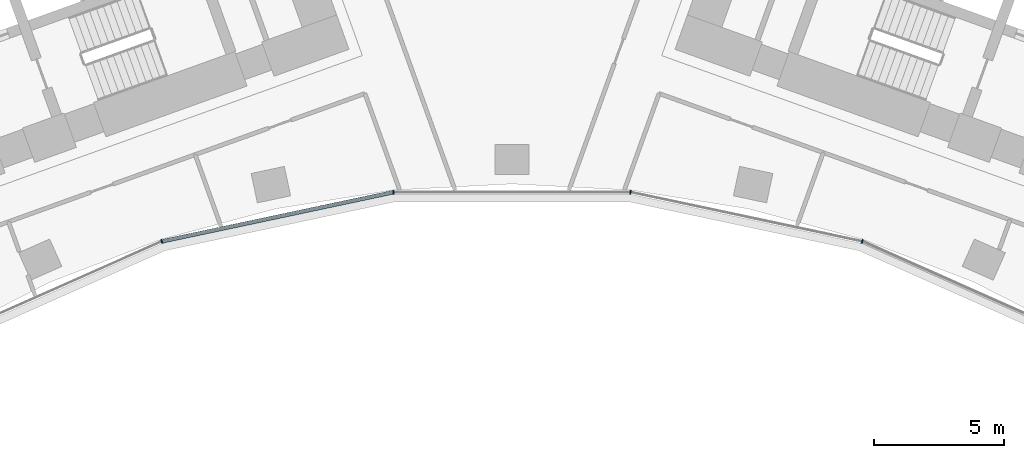
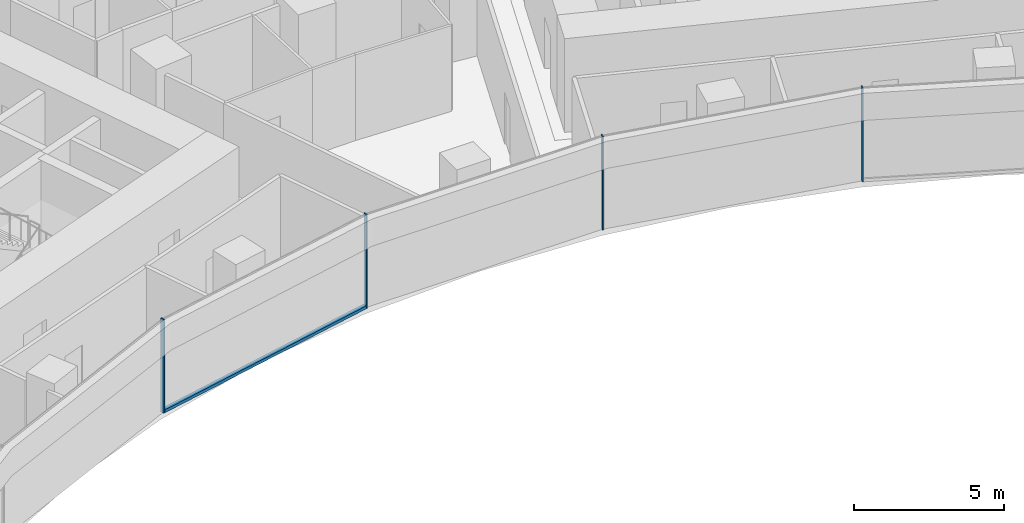
# One storey, part 4 of 21: 5 members, 1 element without a shape of its own.
"""IFC4 building model written with IfcOpenShell, lengths in metres."""

from ifc_helpers import new_model, si_unit, direction, frame, origin, origin_2d, place, context, subcontext, project, spatial, rectangle, extrude, material, layer, layer_set, material_profile, profile_set, type_object, element, aggregate, save


model = new_model("IFC4")

# Units and contexts
model_context = context("Model", 3, precision=1e-05, world=origin(), true_north=direction((0.0, 1.0)))
body_context = subcontext(model_context, "Body", "Model", "MODEL_VIEW")
ifc_project = project(units=[si_unit("LENGTHUNIT", "METRE"), si_unit("AREAUNIT", "SQUARE_METRE"), si_unit("VOLUMEUNIT", "CUBIC_METRE"), si_unit("PLANEANGLEUNIT", "RADIAN"), si_unit("MASSUNIT", "GRAM", prefix="KILO")], contexts=[model_context])

# Site, building, storey
site_placement = place(None, origin())
site = spatial("IfcSite", under=ifc_project, at=site_placement, CompositionType="ELEMENT")
building_placement = place(site_placement, origin())
building = spatial("IfcBuilding", under=site, at=building_placement, Name="Stone Belt Terrace Tower", CompositionType="ELEMENT")
storey_placement = place(building_placement, frame((0.0, 0.0, 113.60009765625)))
storey = spatial("IfcBuildingStorey", under=building, at=storey_placement, Name="L27", CompositionType="ELEMENT", Elevation=113.60009765625)

# Curtain wall, members
ifc_material = material(Name="Aluminium 6063-T6 anodised frame", Category="aluminium")
ifc_layer = layer(ifc_material, 0.14990234375)
ifc_layer_set = layer_set([ifc_layer], Name="CW-B unitised concave-face curtain wall")
curtain_wall_type = type_object("IfcCurtainWallType", Name="CW-B unitised concave-face curtain wall", PredefinedType="NOTDEFINED", material=ifc_layer_set)
curtain_wall_placement = place(storey_placement, origin())
curtain_wall = element("IfcCurtainWall", 1, at=curtain_wall_placement, inside=storey, type_object=curtain_wall_type, Name="CW-B concave face L27", PredefinedType="NOTDEFINED")
ifc_material_profile_1 = material_profile(ifc_material, rectangle(XDim=0.14990234375, YDim=0.050048828125, at=origin_2d()), Name="Aluminium 6063-T6 50x150")
ifc_profile_set_1 = profile_set([ifc_material_profile_1], Name="Aluminium 6063-T6 anodised frame")
member_type_1 = type_object("IfcMemberType", Name="CW-B mullion 50 x 150", PredefinedType="MULLION", material=ifc_profile_set_1)
member_1_placement = place(storey_placement, frame((-13.4189453125, 41.29931640625, 0.0), z_axis=(0.0, 0.0, 1.0), x_axis=(-0.309016994375, 0.951056516295, 0.0)))
member_1 = element("IfcMember", 2, at=member_1_placement, type_object=member_type_1, Name="CW-B mullion 4", PredefinedType="MULLION", context=body_context, shape_type="SweptSolid", body=[
    extrude(rectangle(XDim=0.14990234375, YDim=0.050048828125, at=origin_2d()), origin(), (0.0, 0.0, 1.0), 3.7998046875),
])
member_2_placement = place(storey_placement, frame((-4.5390625, 43.186767578125, 0.0), z_axis=(0.0, 0.0, 1.0), x_axis=(-0.104528463268, 0.994521895368, 0.0)))
member_2 = element("IfcMember", 3, at=member_2_placement, type_object=member_type_1, Name="CW-B mullion 5", PredefinedType="MULLION", context=body_context, shape_type="SweptSolid", body=[
    extrude(rectangle(XDim=0.14990234375, YDim=0.050048828125, at=origin_2d()), origin(), (0.0, 0.0, 1.0), 3.7998046875),
])
member_3_placement = place(storey_placement, frame((4.5390625, 43.186767578125, 0.0), z_axis=(0.0, 0.0, 1.0), x_axis=(0.104528463268, 0.994521895368, 0.0)))
member_3 = element("IfcMember", 4, at=member_3_placement, type_object=member_type_1, Name="CW-B mullion 6", PredefinedType="MULLION", context=body_context, shape_type="SweptSolid", body=[
    extrude(rectangle(XDim=0.14990234375, YDim=0.050048828125, at=origin_2d()), origin(), (0.0, 0.0, 1.0), 3.7998046875),
])
member_4_placement = place(storey_placement, frame((13.4189453125, 41.29931640625, 0.0), z_axis=(0.0, 0.0, 1.0), x_axis=(0.309016994375, 0.951056516295, 0.0)))
member_4 = element("IfcMember", 5, at=member_4_placement, type_object=member_type_1, Name="CW-B mullion 7", PredefinedType="MULLION", context=body_context, shape_type="SweptSolid", body=[
    extrude(rectangle(XDim=0.14990234375, YDim=0.050048828125, at=origin_2d()), origin(), (0.0, 0.0, 1.0), 3.7998046875),
])
ifc_material_profile_2 = material_profile(ifc_material, rectangle(XDim=0.14990234375, YDim=0.1201171875, at=origin_2d()), Name="Aluminium 6063-T6 150x120")
ifc_profile_set_2 = profile_set([ifc_material_profile_2], Name="Aluminium 6063-T6 anodised frame")
member_type_2 = type_object("IfcMemberType", Name="CW-B transom 120 x 150", PredefinedType="USERDEFINED", material=ifc_profile_set_2)
member_5_placement = place(storey_placement, frame((-13.386962890625, 41.30615234375, 0.059814453125), z_axis=(0.9781499003, 0.207900871914, 0.0), x_axis=(-0.207900871914, 0.9781499003, 0.0)))
member_5 = element("IfcMember", 6, at=member_5_placement, type_object=member_type_2, Name="CW-B transom 4.1", ObjectType="TRANSOM", PredefinedType="USERDEFINED", context=body_context, shape_type="SweptSolid", body=[
    extrude(rectangle(XDim=0.14990234375, YDim=0.1201171875, at=origin_2d()), origin(), (0.0, 0.0, 1.0), 9.012939453125),
])
aggregate(curtain_wall, [member_1, member_2, member_3, member_4, member_5])

save(model, "model.ifc")
